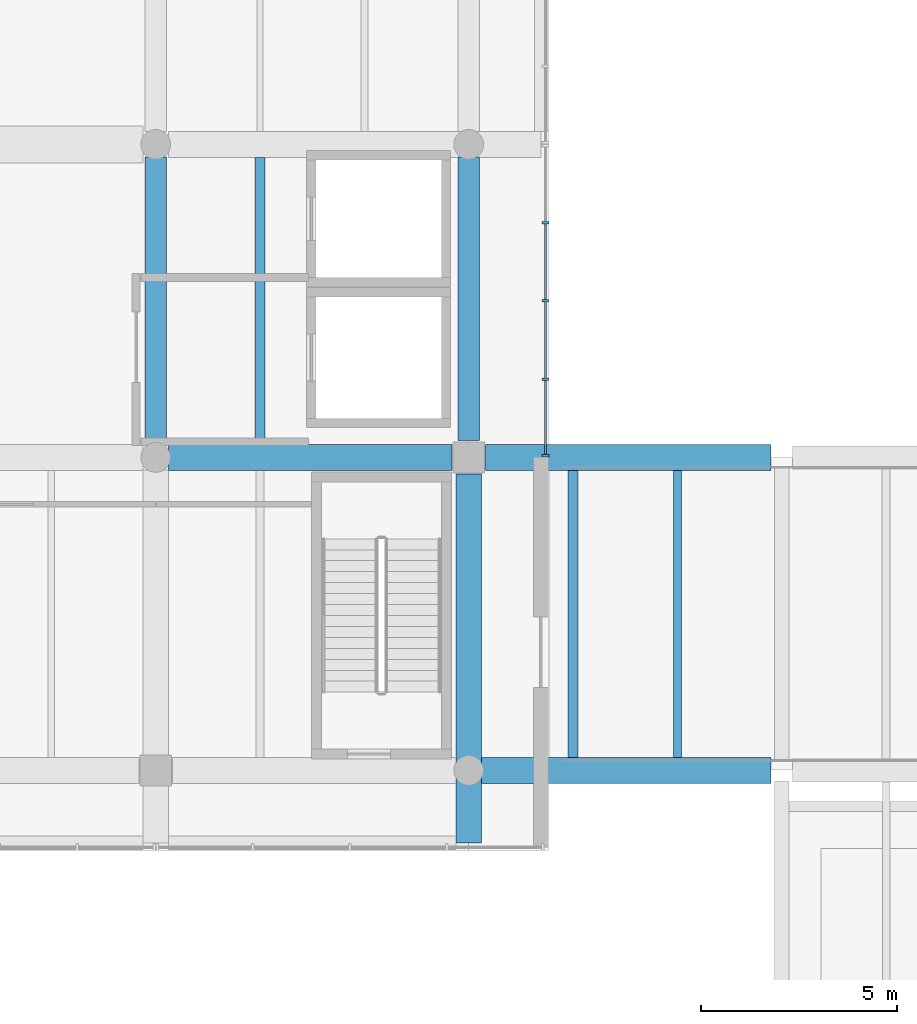
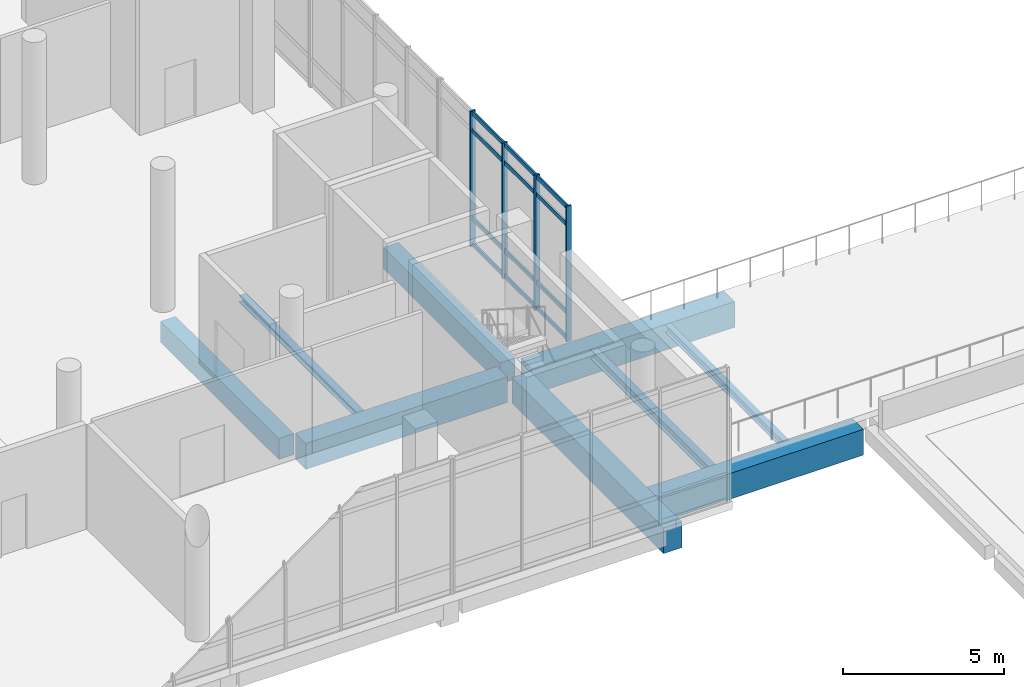
# One storey, part 5 of 20: 16 members, 9 beams, 1 element without a shape of its own.
"""IFC4 building model written with IfcOpenShell, lengths in metres."""

import ifcopenshell
import ifcopenshell.guid

model = None  # the IFC model being written
_history = None  # IfcOwnerHistory: only IFC2X3 demands one
_inside = {}  # id of a spatial element -> (the spatial element, [elements in it])
_under = {}  # id of a project, library or spatial element -> (it, [spatial elements below it])
_declared = {}  # id of a project -> (the project, [libraries it declares])
_typed = {}  # id of a type object -> (the type object, [elements of that type])
_made_of = {}  # id of a material, layer set ... -> (it, [elements and type objects made of it])


def new_model(schema):
    """Start an empty IFC model of exactly this schema.

    Asked for "IFC4X3", IfcOpenShell would pick the latest addendum, in which some entities
    have other attributes; the version numbers below select the first issue.
    IFC2X3 requires an IfcOwnerHistory on every rooted entity: one is made here for all.
    """
    global model, _history
    if schema == "IFC4X3":
        model = ifcopenshell.file(schema_version=(4, 3, 0, 0))
    else:
        model = ifcopenshell.file(schema=schema)
    _inside.clear()
    _under.clear()
    _declared.clear()
    _typed.clear()
    _made_of.clear()
    _history = None
    if model.schema == "IFC2X3":
        org = make("IfcOrganization", Name="unknown")
        user = make(
            "IfcPersonAndOrganization",
            ThePerson=make("IfcPerson", FamilyName="unknown"),
            TheOrganization=org,
        )
        app = make(
            "IfcApplication",
            ApplicationDeveloper=org,
            Version="unknown",
            ApplicationFullName="unknown",
            ApplicationIdentifier="unknown",
        )
        _history = make(
            "IfcOwnerHistory",
            OwningUser=user,
            OwningApplication=app,
            ChangeAction="ADDED",
            CreationDate=0,
        )
    return model


def make(cls, **values):
    """One entity of the class cls with the attributes given. An attribute that is None is left unset."""
    return model.create_entity(
        cls, **{name: value for name, value in values.items() if value is not None}
    )


def rooted(cls, **values):
    """An entity with a GlobalId (a new one), such as an element, a storey or a relation."""
    return make(cls, GlobalId=ifcopenshell.guid.new(), OwnerHistory=_history, **values)


def si_unit(unit_type, name, prefix=None):
    """IfcSIUnit, for example si_unit("LENGTHUNIT", "METRE", prefix="MILLI")."""
    return make("IfcSIUnit", UnitType=unit_type, Prefix=prefix, Name=name)


def assignment(units):
    """IfcUnitAssignment: the units of a project."""
    return None if units is None else make("IfcUnitAssignment", Units=units)


def point(xyz):
    """IfcCartesianPoint."""
    return None if xyz is None else make("IfcCartesianPoint", Coordinates=xyz)


def direction(xyz):
    """IfcDirection."""
    return None if xyz is None else make("IfcDirection", DirectionRatios=xyz)


def frame(location, z_axis=None, x_axis=None):
    """IfcAxis2Placement3D, a coordinate frame: its origin and axes. An axis left out is left unset."""
    return make(
        "IfcAxis2Placement3D",
        Location=point(location),
        Axis=direction(z_axis),
        RefDirection=direction(x_axis),
    )


def frame_2d(location, x_axis=None):
    """IfcAxis2Placement2D, a coordinate frame in the plane: its origin and x axis."""
    return make(
        "IfcAxis2Placement2D", Location=point(location), RefDirection=direction(x_axis)
    )


def origin():
    """The frame at (0, 0, 0) with its axes left unset."""
    return frame((0.0, 0.0, 0.0))


def origin_2d():
    """The frame at (0, 0) in the plane with its x axis left unset."""
    return frame_2d((0.0, 0.0))


def place(relative_to, where):
    """IfcLocalPlacement: puts the frame where relative to a parent placement (None: the world)."""
    return make(
        "IfcLocalPlacement", PlacementRelTo=relative_to, RelativePlacement=where
    )


def context(
    kind, dimensions, precision=None, world=None, true_north=None, identifier=None
):
    """IfcGeometricRepresentationContext, for example the 3D "Model" context."""
    return make(
        "IfcGeometricRepresentationContext",
        ContextIdentifier=identifier,
        ContextType=kind,
        CoordinateSpaceDimension=dimensions,
        Precision=precision,
        WorldCoordinateSystem=world,
        TrueNorth=true_north,
    )


def subcontext(parent, identifier, kind, view, scale=None):
    """IfcGeometricRepresentationSubContext, for example "Body" below "Model"."""
    return make(
        "IfcGeometricRepresentationSubContext",
        ContextIdentifier=identifier,
        ContextType=kind,
        ParentContext=parent,
        TargetScale=scale,
        TargetView=view,
    )


def project(units=None, contexts=None):
    """IfcProject with its units and contexts."""
    return rooted(
        "IfcProject",
        Name="project",
        RepresentationContexts=contexts,
        UnitsInContext=assignment(units),
    )


def spatial(cls, under=None, at=None, **own):
    """A site, building, storey or space (cls), placed at a placement, below another one or the project."""
    s = rooted(cls, ObjectPlacement=at, **own)
    if under is not None:
        _under.setdefault(under.id(), (under, []))[1].append(s)
    return s


def profile(cls, at=None, kind="AREA", **sizes):
    """A parametric profile (cls). Its sizes go by their IFC names, for example OverallWidth=200.0."""
    return make(cls, ProfileType=kind, Position=at, **sizes)


def rectangle(**sizes):
    """IfcRectangleProfileDef."""
    return profile("IfcRectangleProfileDef", **sizes)


def i_section(**sizes):
    """IfcIShapeProfileDef."""
    return profile("IfcIShapeProfileDef", **sizes)


def extrude(swept, where, along, depth):
    """IfcExtrudedAreaSolid: the profile swept, set in the frame where, extruded along a direction by depth."""
    return make(
        "IfcExtrudedAreaSolid",
        SweptArea=swept,
        Position=where,
        ExtrudedDirection=direction(along),
        Depth=depth,
    )


def shape(context_of_items, identifier, shape_type, items):
    """IfcShapeRepresentation: the items that make up one representation, for example the "Body"."""
    return make(
        "IfcShapeRepresentation",
        ContextOfItems=context_of_items,
        RepresentationIdentifier=identifier,
        RepresentationType=shape_type,
        Items=items,
    )


def material(Name=None, Category=None):
    """IfcMaterial."""
    return make("IfcMaterial", Name=Name, Category=Category)


def material_profile(
    of_material, cross_section, Name=None, Category=None, Priority=None
):
    """IfcMaterialProfile: a cross section and its material."""
    return make(
        "IfcMaterialProfile",
        Name=Name,
        Material=of_material,
        Profile=cross_section,
        Priority=Priority,
        Category=Category,
    )


def profile_set(profiles, Name=None, composite=None):
    """IfcMaterialProfileSet."""
    return make(
        "IfcMaterialProfileSet",
        Name=Name,
        MaterialProfiles=profiles,
        CompositeProfile=composite,
    )


def made_of(thing, what):
    """Note that an element or type object is made of a material, layer set ...; save() writes the relation."""
    if what is not None:
        _made_of.setdefault(what.id(), (what, []))[1].append(thing)
    return thing


def type_object(cls, material=None, **own):
    """A type object (cls), such as IfcWallType, which elements share."""
    return made_of(rooted(cls, **own), material)


def element(
    cls,
    number,
    at=None,
    inside=None,
    cuts=None,
    type_object=None,
    material=None,
    context=None,
    identifier="Body",
    shape_type=None,
    held_by="IfcProductDefinitionShape",
    body=None,
    shapes=None,
    **own,
):
    """One element of the class cls, such as IfcWall. Its Tag is "e" and its number.

    at: its placement. inside: the storey or other place that contains it. cuts: it is an
    opening in that element (IfcRelVoidsElement). A single representation is given by context,
    identifier, shape_type and body (its items); several are given by shapes. held_by: the class
    of the entity that holds the representations. save() writes the other relations.
    """
    e = rooted(cls, Tag="e%d" % number, ObjectPlacement=at, **own)
    if body is not None:
        shapes = [shape(context, identifier, shape_type, body)]
    if shapes is not None:
        e.Representation = make(held_by, Representations=shapes)
    if inside is not None:
        _inside.setdefault(inside.id(), (inside, []))[1].append(e)
    if cuts is not None:
        rooted(
            "IfcRelVoidsElement", RelatingBuildingElement=cuts, RelatedOpeningElement=e
        )
    if type_object is not None:
        _typed.setdefault(type_object.id(), (type_object, []))[1].append(e)
    return made_of(e, material)


def aggregate(whole, parts):
    """IfcRelAggregates: a whole, such as a stair, and the parts it consists of."""
    return rooted("IfcRelAggregates", RelatingObject=whole, RelatedObjects=parts)


def save(model, path):
    """Write the relations noted so far, then the file.

    IfcRelAggregates (storeys below a building ...), IfcRelContainedInSpatialStructure (elements
    in a storey), IfcRelDefinesByType, IfcRelAssociatesMaterial and IfcRelDeclares: one each for
    every whole, place, type object, material and project.
    """
    for whole, parts in _under.values():
        aggregate(whole, parts)
    for where, things in _inside.values():
        rooted(
            "IfcRelContainedInSpatialStructure",
            RelatedElements=things,
            RelatingStructure=where,
        )
    for kind, things in _typed.values():
        rooted("IfcRelDefinesByType", RelatedObjects=things, RelatingType=kind)
    for what, things in _made_of.values():
        rooted("IfcRelAssociatesMaterial", RelatedObjects=things, RelatingMaterial=what)
    for by, libraries in _declared.values():
        rooted("IfcRelDeclares", RelatingContext=by, RelatedDefinitions=libraries)
    model.write(path)


model = new_model("IFC4")

# Units and contexts
model_context = context("Model", 3, precision=1e-05, world=origin(), true_north=direction((0.0, 1.0)))
body_context = subcontext(model_context, "Body", "Model", "MODEL_VIEW")
ifc_project = project(units=[si_unit("LENGTHUNIT", "METRE"), si_unit("AREAUNIT", "SQUARE_METRE"), si_unit("VOLUMEUNIT", "CUBIC_METRE"), si_unit("PLANEANGLEUNIT", "RADIAN"), si_unit("MASSUNIT", "GRAM", prefix="KILO")], contexts=[model_context])

# Site, building, storey
site_placement = place(None, origin())
site = spatial("IfcSite", under=ifc_project, at=site_placement, CompositionType="ELEMENT")
building_placement = place(site_placement, origin())
building = spatial("IfcBuilding", under=site, at=building_placement, Name="Pecanmere Concourse Central Library", CompositionType="ELEMENT")
storey_placement = place(building_placement, frame((0.0, 0.0, 24.89990234375)))
storey = spatial("IfcBuildingStorey", under=building, at=storey_placement, Name="L06", CompositionType="ELEMENT", Elevation=24.89990234375)

# Curtain wall, members
ifc_material_1 = material(Name="Anodized bronze aluminium alloy 6063-T6", Category="aluminium")
curtain_wall_type = type_object("IfcCurtainWallType", Name="CW_PLUMB_BANDED", PredefinedType="USERDEFINED", material=ifc_material_1)
curtain_wall_placement = place(storey_placement, origin())
curtain_wall = element("IfcCurtainWall", 1, at=curtain_wall_placement, inside=storey, type_object=curtain_wall_type, Name="Unitised Curtain Wall CW-02 L06-078", ObjectType="UNITISED CURTAIN WALL", PredefinedType="USERDEFINED")
ifc_material_2 = material(Name="Anodized bronze aluminium alloy 6063-T6", Category="aluminium")
ifc_material_profile_1 = material_profile(ifc_material_2, rectangle(XDim=0.06494140625, YDim=0.179931640625, at=origin_2d()), Name="AL 65x180")
ifc_profile_set_1 = profile_set([ifc_material_profile_1], Name="Anodized bronze aluminium alloy 6063-T6")
member_type_1 = type_object("IfcMemberType", Name="CWM_180x65", PredefinedType="MULLION", material=ifc_profile_set_1)
member_1_placement = place(storey_placement, frame((105.96142578125, 98.03759765625, 0.0), z_axis=(0.0, 0.0, 1.0), x_axis=(0.0, 1.0, 0.0)))
member_1 = element("IfcMember", 2, at=member_1_placement, type_object=member_type_1, Name="CW-02 Mullion 1", PredefinedType="MULLION", context=body_context, shape_type="SweptSolid", body=[
    extrude(rectangle(XDim=0.06494140625, YDim=0.179931640625, at=origin_2d()), origin(), (0.0, 0.0, 1.0), 5.14013671875),
])
member_2_placement = place(storey_placement, frame((105.96142578125, 100.00244140625, 0.0), z_axis=(0.0, 0.0, 1.0), x_axis=(0.0, 1.0, 0.0)))
member_2 = element("IfcMember", 3, at=member_2_placement, type_object=member_type_1, Name="CW-02 Mullion 2", PredefinedType="MULLION", context=body_context, shape_type="SweptSolid", body=[
    extrude(rectangle(XDim=0.06494140625, YDim=0.179931640625, at=origin_2d()), origin(), (0.0, 0.0, 1.0), 5.14013671875),
])
member_3_placement = place(storey_placement, frame((105.96142578125, 102.0, 0.0), z_axis=(0.0, 0.0, 1.0), x_axis=(0.0, 1.0, 0.0)))
member_3 = element("IfcMember", 4, at=member_3_placement, type_object=member_type_1, Name="CW-02 Mullion 3", PredefinedType="MULLION", context=body_context, shape_type="SweptSolid", body=[
    extrude(rectangle(XDim=0.06494140625, YDim=0.179931640625, at=origin_2d()), origin(), (0.0, 0.0, 1.0), 5.14013671875),
])
member_4_placement = place(storey_placement, frame((105.96142578125, 103.99755859375, 0.0), z_axis=(0.0, 0.0, 1.0), x_axis=(0.0, 1.0, 0.0)))
member_4 = element("IfcMember", 5, at=member_4_placement, type_object=member_type_1, Name="CW-02 Mullion 4", PredefinedType="MULLION", context=body_context, shape_type="SweptSolid", body=[
    extrude(rectangle(XDim=0.06494140625, YDim=0.179931640625, at=origin_2d()), origin(), (0.0, 0.0, 1.0), 5.14013671875),
])
ifc_material_3 = material(Name="Anodized bronze aluminium alloy 6063-T6", Category="aluminium")
ifc_material_profile_2 = material_profile(ifc_material_3, rectangle(XDim=0.06005859375, YDim=0.159912109375, at=origin_2d()), Name="AL 60x160")
ifc_profile_set_2 = profile_set([ifc_material_profile_2], Name="Anodized bronze aluminium alloy 6063-T6")
member_type_2 = type_object("IfcMemberType", Name="CWT_160x60", PredefinedType="USERDEFINED", material=ifc_profile_set_2)
member_5_placement = place(storey_placement, frame((105.96142578125, 98.070068359375, 0.080078125), z_axis=(0.0, 1.0, 0.0), x_axis=(-1.0, 0.0, 0.0)))
member_5 = element("IfcMember", 6, at=member_5_placement, type_object=member_type_2, Name="CW-02 Transom 1.1", ObjectType="TRANSOM", PredefinedType="USERDEFINED", context=body_context, shape_type="SweptSolid", body=[
    extrude(rectangle(XDim=0.06005859375, YDim=0.159912109375, at=origin_2d()), origin(), (0.0, 0.0, 1.0), 1.89990234375),
])
member_6_placement = place(storey_placement, frame((105.96142578125, 98.070068359375, 1.050048828125), z_axis=(0.0, 1.0, 0.0), x_axis=(-1.0, 0.0, 0.0)))
member_6 = element("IfcMember", 7, at=member_6_placement, type_object=member_type_2, Name="CW-02 Transom 1.2", ObjectType="TRANSOM", PredefinedType="USERDEFINED", context=body_context, shape_type="SweptSolid", body=[
    extrude(rectangle(XDim=0.06005859375, YDim=0.159912109375, at=origin_2d()), origin(), (0.0, 0.0, 1.0), 1.89990234375),
])
member_7_placement = place(storey_placement, frame((105.96142578125, 98.070068359375, 4.39013671875), z_axis=(0.0, 1.0, 0.0), x_axis=(-1.0, 0.0, 0.0)))
member_7 = element("IfcMember", 8, at=member_7_placement, type_object=member_type_2, Name="CW-02 Transom 1.3", ObjectType="TRANSOM", PredefinedType="USERDEFINED", context=body_context, shape_type="SweptSolid", body=[
    extrude(rectangle(XDim=0.06005859375, YDim=0.159912109375, at=origin_2d()), origin(), (0.0, 0.0, 1.0), 1.89990234375),
])
member_8_placement = place(storey_placement, frame((105.96142578125, 98.070068359375, 5.06005859375), z_axis=(0.0, 1.0, 0.0), x_axis=(-1.0, 0.0, 0.0)))
member_8 = element("IfcMember", 9, at=member_8_placement, type_object=member_type_2, Name="CW-02 Transom 1.4", ObjectType="TRANSOM", PredefinedType="USERDEFINED", context=body_context, shape_type="SweptSolid", body=[
    extrude(rectangle(XDim=0.06005859375, YDim=0.159912109375, at=origin_2d()), origin(), (0.0, 0.0, 1.0), 1.89990234375),
])
member_9_placement = place(storey_placement, frame((105.96142578125, 100.034912109375, 0.080078125), z_axis=(0.0, 1.0, 0.0), x_axis=(-1.0, 0.0, 0.0)))
member_9 = element("IfcMember", 10, at=member_9_placement, type_object=member_type_2, Name="CW-02 Transom 2.1", ObjectType="TRANSOM", PredefinedType="USERDEFINED", context=body_context, shape_type="SweptSolid", body=[
    extrude(rectangle(XDim=0.06005859375, YDim=0.159912109375, at=origin_2d()), origin(), (0.0, 0.0, 1.0), 1.9326171875),
])
member_10_placement = place(storey_placement, frame((105.96142578125, 100.034912109375, 1.050048828125), z_axis=(0.0, 1.0, 0.0), x_axis=(-1.0, 0.0, 0.0)))
member_10 = element("IfcMember", 11, at=member_10_placement, type_object=member_type_2, Name="CW-02 Transom 2.2", ObjectType="TRANSOM", PredefinedType="USERDEFINED", context=body_context, shape_type="SweptSolid", body=[
    extrude(rectangle(XDim=0.06005859375, YDim=0.159912109375, at=origin_2d()), origin(), (0.0, 0.0, 1.0), 1.9326171875),
])
member_11_placement = place(storey_placement, frame((105.96142578125, 100.034912109375, 4.39013671875), z_axis=(0.0, 1.0, 0.0), x_axis=(-1.0, 0.0, 0.0)))
member_11 = element("IfcMember", 12, at=member_11_placement, type_object=member_type_2, Name="CW-02 Transom 2.3", ObjectType="TRANSOM", PredefinedType="USERDEFINED", context=body_context, shape_type="SweptSolid", body=[
    extrude(rectangle(XDim=0.06005859375, YDim=0.159912109375, at=origin_2d()), origin(), (0.0, 0.0, 1.0), 1.9326171875),
])
member_12_placement = place(storey_placement, frame((105.96142578125, 100.034912109375, 5.06005859375), z_axis=(0.0, 1.0, 0.0), x_axis=(-1.0, 0.0, 0.0)))
member_12 = element("IfcMember", 13, at=member_12_placement, type_object=member_type_2, Name="CW-02 Transom 2.4", ObjectType="TRANSOM", PredefinedType="USERDEFINED", context=body_context, shape_type="SweptSolid", body=[
    extrude(rectangle(XDim=0.06005859375, YDim=0.159912109375, at=origin_2d()), origin(), (0.0, 0.0, 1.0), 1.9326171875),
])
member_13_placement = place(storey_placement, frame((105.96142578125, 102.032470703125, 0.080078125), z_axis=(0.0, 1.0, 0.0), x_axis=(-1.0, 0.0, 0.0)))
member_13 = element("IfcMember", 14, at=member_13_placement, type_object=member_type_2, Name="CW-02 Transom 3.1", ObjectType="TRANSOM", PredefinedType="USERDEFINED", context=body_context, shape_type="SweptSolid", body=[
    extrude(rectangle(XDim=0.06005859375, YDim=0.159912109375, at=origin_2d()), origin(), (0.0, 0.0, 1.0), 1.9326171875),
])
member_14_placement = place(storey_placement, frame((105.96142578125, 102.032470703125, 1.050048828125), z_axis=(0.0, 1.0, 0.0), x_axis=(-1.0, 0.0, 0.0)))
member_14 = element("IfcMember", 15, at=member_14_placement, type_object=member_type_2, Name="CW-02 Transom 3.2", ObjectType="TRANSOM", PredefinedType="USERDEFINED", context=body_context, shape_type="SweptSolid", body=[
    extrude(rectangle(XDim=0.06005859375, YDim=0.159912109375, at=origin_2d()), origin(), (0.0, 0.0, 1.0), 1.9326171875),
])
member_15_placement = place(storey_placement, frame((105.96142578125, 102.032470703125, 4.39013671875), z_axis=(0.0, 1.0, 0.0), x_axis=(-1.0, 0.0, 0.0)))
member_15 = element("IfcMember", 16, at=member_15_placement, type_object=member_type_2, Name="CW-02 Transom 3.3", ObjectType="TRANSOM", PredefinedType="USERDEFINED", context=body_context, shape_type="SweptSolid", body=[
    extrude(rectangle(XDim=0.06005859375, YDim=0.159912109375, at=origin_2d()), origin(), (0.0, 0.0, 1.0), 1.9326171875),
])
member_16_placement = place(storey_placement, frame((105.96142578125, 102.032470703125, 5.06005859375), z_axis=(0.0, 1.0, 0.0), x_axis=(-1.0, 0.0, 0.0)))
member_16 = element("IfcMember", 17, at=member_16_placement, type_object=member_type_2, Name="CW-02 Transom 3.4", ObjectType="TRANSOM", PredefinedType="USERDEFINED", context=body_context, shape_type="SweptSolid", body=[
    extrude(rectangle(XDim=0.06005859375, YDim=0.159912109375, at=origin_2d()), origin(), (0.0, 0.0, 1.0), 1.9326171875),
])
aggregate(curtain_wall, [member_1, member_2, member_3, member_4, member_5, member_6, member_7, member_8, member_9, member_10, member_11, member_12, member_13, member_14, member_15, member_16])

# Beams
ifc_material_4 = material(Name="Concrete C40/50", Category="concrete")
ifc_material_profile_3 = material_profile(ifc_material_4, rectangle(XDim=0.5400390625, YDim=0.800048828125, at=origin_2d()), Name="RC 540x800")
ifc_profile_set_3 = profile_set([ifc_material_profile_3], Name="Concrete C40/50")
beam_type_1 = type_object("IfcBeamType", Name="GRD_540x800", PredefinedType="USERDEFINED", material=ifc_profile_set_3)
beam_1_placement = place(storey_placement, frame((96.0, 98.324951171875, -0.699951171875), z_axis=(0.0, 1.0, 0.0), x_axis=(-1.0, 0.0, 0.0)))
element("IfcBeam", 18, at=beam_1_placement, inside=storey, type_object=beam_type_1, Name="Primary Girder Y L06-2696", ObjectType="GIRDER", PredefinedType="USERDEFINED", context=body_context, shape_type="SweptSolid", body=[
    extrude(rectangle(XDim=0.5400390625, YDim=0.800048828125, at=origin_2d()), origin(), (0.0, 0.0, 1.0), 7.35009765625),
])
beam_2_placement = place(storey_placement, frame((104.0, 98.429931640625, -0.699951171875), z_axis=(0.0, 1.0, 0.0), x_axis=(-1.0, 0.0, 0.0)))
element("IfcBeam", 19, at=beam_2_placement, inside=storey, type_object=beam_type_1, Name="Primary Girder Y L06-2700", ObjectType="GIRDER", PredefinedType="USERDEFINED", context=body_context, shape_type="SweptSolid", body=[
    extrude(rectangle(XDim=0.5400390625, YDim=0.800048828125, at=origin_2d()), origin(), (0.0, 0.0, 1.0), 7.2451171875),
])
ifc_material_5 = material(Name="Concrete C40/50", Category="concrete")
ifc_material_profile_4 = material_profile(ifc_material_5, rectangle(XDim=0.659912109375, YDim=0.97998046875, at=origin_2d()), Name="RC 660x980")
ifc_profile_set_4 = profile_set([ifc_material_profile_4], Name="Concrete C40/50")
beam_type_2 = type_object("IfcBeamType", Name="GRD_660x980", PredefinedType="USERDEFINED", material=ifc_profile_set_4)
beam_3_placement = place(storey_placement, frame((104.324951171875, 90.0, -0.789794921875), z_axis=(1.0, 0.0, 0.0), x_axis=(0.0, 1.0, 0.0)))
element("IfcBeam", 20, at=beam_3_placement, inside=storey, type_object=beam_type_2, Name="Primary Girder X L06-2646", ObjectType="GIRDER", PredefinedType="USERDEFINED", context=body_context, shape_type="SweptSolid", body=[
    extrude(rectangle(XDim=0.659912109375, YDim=0.97998046875, at=origin_2d()), origin(), (0.0, 0.0, 1.0), 7.400146484375),
])
beam_4_placement = place(storey_placement, frame((96.324951171875, 98.0, -0.789794921875), z_axis=(1.0, 0.0, 0.0), x_axis=(0.0, 1.0, 0.0)))
element("IfcBeam", 21, at=beam_4_placement, inside=storey, type_object=beam_type_2, Name="Primary Girder X L06-2654", ObjectType="GIRDER", PredefinedType="USERDEFINED", context=body_context, shape_type="SweptSolid", body=[
    extrude(rectangle(XDim=0.659912109375, YDim=0.97998046875, at=origin_2d()), origin(), (0.0, 0.0, 1.0), 7.2451171875),
])
beam_5_placement = place(storey_placement, frame((104.429931640625, 98.0, -0.789794921875), z_axis=(1.0, 0.0, 0.0), x_axis=(0.0, 1.0, 0.0)))
element("IfcBeam", 22, at=beam_5_placement, inside=storey, type_object=beam_type_2, Name="Primary Girder X L06-2655", ObjectType="GIRDER", PredefinedType="USERDEFINED", context=body_context, shape_type="SweptSolid", body=[
    extrude(rectangle(XDim=0.659912109375, YDim=0.97998046875, at=origin_2d()), origin(), (0.0, 0.0, 1.0), 7.295166015625),
])
beam_6_placement = place(storey_placement, frame((104.0, 88.1484375, -0.789794921875), z_axis=(0.0, 1.0, 0.0), x_axis=(-1.0, 0.0, 0.0)))
element("IfcBeam", 23, at=beam_6_placement, inside=storey, type_object=beam_type_2, Name="Primary Girder Y L06-2699", ObjectType="GIRDER", PredefinedType="USERDEFINED", context=body_context, shape_type="SweptSolid", body=[
    extrude(rectangle(XDim=0.659912109375, YDim=0.97998046875, at=origin_2d()), origin(), (0.0, 0.0, 1.0), 9.421630859375),
])
ifc_material_6 = material(Name="Structural steel ASTM A992 Grade 50", Category="steel")
ifc_material_profile_5 = material_profile(ifc_material_6, i_section(OverallWidth=0.25390625, OverallDepth=0.2529296875, WebThickness=0.008544921875, FlangeThickness=0.01416015625, at=origin_2d()), Name="W250x73")
ifc_profile_set_5 = profile_set([ifc_material_profile_5], Name="Structural steel ASTM A992 Grade 50")
beam_type_3 = type_object("IfcBeamType", Name="SBM_W250x73", PredefinedType="BEAM", material=ifc_profile_set_5)
beam_7_placement = place(storey_placement, frame((98.666748046875, 98.330078125, -0.426513671875), z_axis=(0.0, 1.0, 0.0), x_axis=(-1.0, 0.0, 0.0)))
element("IfcBeam", 24, at=beam_7_placement, inside=storey, type_object=beam_type_3, Name="Secondary Floor Joist L06-2762", PredefinedType="BEAM", context=body_context, shape_type="SweptSolid", body=[
    extrude(i_section(OverallWidth=0.25390625, OverallDepth=0.2529296875, WebThickness=0.008544921875, FlangeThickness=0.01416015625, at=origin_2d()), origin(), (0.0, 0.0, 1.0), 7.33984375),
])
ifc_material_7 = material(Name="Structural steel ASTM A992 Grade 50", Category="steel")
ifc_material_profile_6 = material_profile(ifc_material_7, i_section(OverallWidth=0.205078125, OverallDepth=0.31005859375, WebThickness=0.009521484375, FlangeThickness=0.016357421875, at=origin_2d()), Name="W310x74")
ifc_profile_set_6 = profile_set([ifc_material_profile_6], Name="Structural steel ASTM A992 Grade 50")
beam_type_4 = type_object("IfcBeamType", Name="SBM_W310x74", PredefinedType="BEAM", material=ifc_profile_set_6)
beam_8_placement = place(storey_placement, frame((109.333251953125, 90.330078125, -0.454833984375), z_axis=(0.0, 1.0, 0.0), x_axis=(-1.0, 0.0, 0.0)))
element("IfcBeam", 25, at=beam_8_placement, inside=storey, type_object=beam_type_4, Name="Secondary Floor Joist L06-2767", PredefinedType="BEAM", context=body_context, shape_type="SweptSolid", body=[
    extrude(i_section(OverallWidth=0.205078125, OverallDepth=0.31005859375, WebThickness=0.009521484375, FlangeThickness=0.016357421875, at=origin_2d()), origin(), (0.0, 0.0, 1.0), 7.33984375),
])
ifc_material_8 = material(Name="Structural steel ASTM A992 Grade 50", Category="steel")
ifc_material_profile_7 = material_profile(ifc_material_8, i_section(OverallWidth=0.25390625, OverallDepth=0.35302734375, WebThickness=0.009521484375, FlangeThickness=0.016357421875, at=origin_2d()), Name="W360x91")
ifc_profile_set_7 = profile_set([ifc_material_profile_7], Name="Structural steel ASTM A992 Grade 50")
beam_type_5 = type_object("IfcBeamType", Name="SBM_W360x91", PredefinedType="BEAM", material=ifc_profile_set_7)
beam_9_placement = place(storey_placement, frame((106.666748046875, 90.330078125, -0.476318359375), z_axis=(0.0, 1.0, 0.0), x_axis=(-1.0, 0.0, 0.0)))
element("IfcBeam", 26, at=beam_9_placement, inside=storey, type_object=beam_type_5, Name="Secondary Floor Joist L06-2766", PredefinedType="BEAM", context=body_context, shape_type="SweptSolid", body=[
    extrude(i_section(OverallWidth=0.25390625, OverallDepth=0.35302734375, WebThickness=0.009521484375, FlangeThickness=0.016357421875, at=origin_2d()), origin(), (0.0, 0.0, 1.0), 7.33984375),
])

save(model, "model.ifc")
